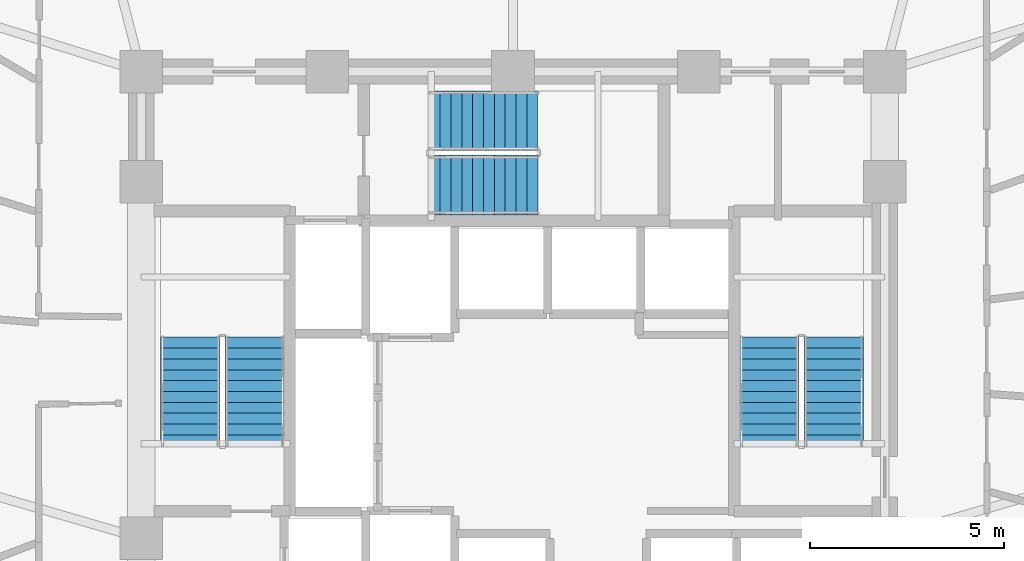
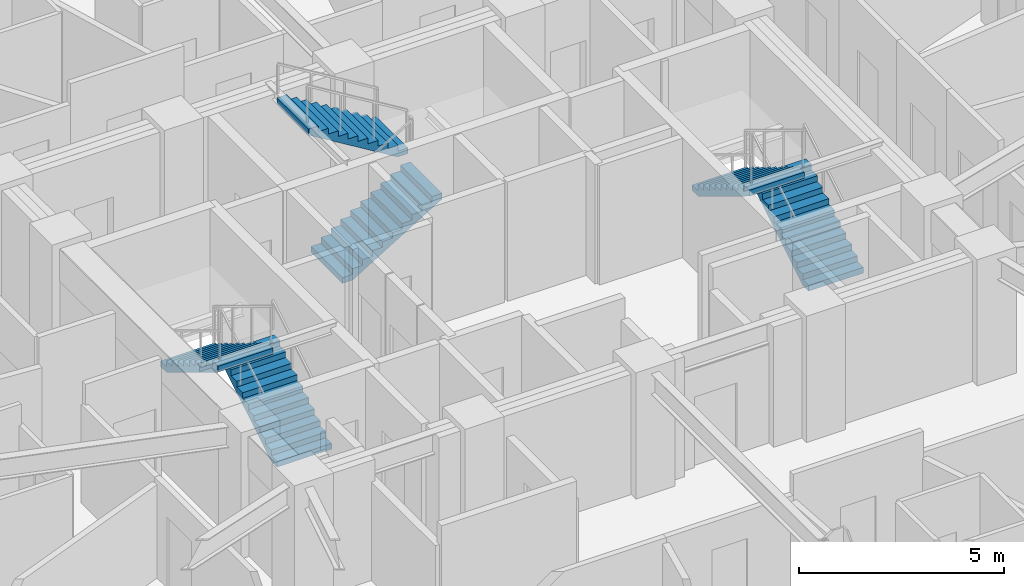
# One storey, part 27 of 31: 6 stair flights, 3 elements without a shape of their own.
"""IFC4 building model written with IfcOpenShell, lengths in metres."""

from ifc_helpers import new_model, si_unit, direction, frame, origin, place, context, subcontext, project, spatial, polyline, outline, extrude, material, type_object, element, aggregate, save


model = new_model("IFC4")

# Units and contexts
model_context = context("Model", 3, precision=1e-05, world=origin(), true_north=direction((0.0, 1.0)))
body_context = subcontext(model_context, "Body", "Model", "MODEL_VIEW")
ifc_project = project(units=[si_unit("LENGTHUNIT", "METRE"), si_unit("AREAUNIT", "SQUARE_METRE"), si_unit("VOLUMEUNIT", "CUBIC_METRE"), si_unit("PLANEANGLEUNIT", "RADIAN"), si_unit("MASSUNIT", "GRAM", prefix="KILO")], contexts=[model_context])

# Site, building, storey
site_placement = place(None, origin())
site = spatial("IfcSite", under=ifc_project, at=site_placement, CompositionType="ELEMENT")
building_placement = place(site_placement, origin())
building = spatial("IfcBuilding", under=site, at=building_placement, Name="Vantalir Tower", CompositionType="ELEMENT")
storey_placement = place(building_placement, frame((0.0, 0.0, 34.5)))
storey = spatial("IfcBuildingStorey", under=building, at=storey_placement, Name="L07", CompositionType="ELEMENT", Elevation=34.5)

# Stair, stair flights
ifc_material = material(Name="Concrete C40/50", Category="concrete")
stair_type = type_object("IfcStairType", Name="STR-CORE-1450", PredefinedType="HALF_TURN_STAIR", material=ifc_material)
stair_1_placement = place(storey_placement, origin())
stair_1 = element("IfcStair", 1, at=stair_1_placement, inside=storey, type_object=stair_type, Name="L07 Core Exit Stair 1", PredefinedType="HALF_TURN_STAIR")
stair_flight_type = type_object("IfcStairFlightType", Name="FLT-CORE-1450", PredefinedType="STRAIGHT", material=ifc_material)
stair_flight_1_placement = place(storey_placement, frame((24.830078125, 22.7900390625, 0.0), z_axis=(0.0, 0.0, 1.0), x_axis=(0.0, 1.0, 0.0)))
stair_flight_1 = element("IfcStairFlight", 2, at=stair_flight_1_placement, type_object=stair_flight_type, Name="ST1 flight 1", NumberOfRisers=11, NumberOfTreads=10, PredefinedType="STRAIGHT", RiserHeight=0.170454545, TreadLength=0.28, context=body_context, shape_type="SweptSolid", body=[
    extrude(outline(polyline([(0.0, 0.0), (0.0, 0.17041015625), (0.280029296875, 0.17041015625), (0.280029296875, 0.3408203125), (0.56005859375, 0.3408203125), (0.56005859375, 0.511474609375), (0.840087890625, 0.511474609375), (0.840087890625, 0.681884765625), (1.1201171875, 0.681884765625), (1.1201171875, 0.852294921875), (1.39990234375, 0.852294921875), (1.39990234375, 1.022705078125), (1.679931640625, 1.022705078125), (1.679931640625, 1.193115234375), (1.9599609375, 1.193115234375), (1.9599609375, 1.363525390625), (2.239990234375, 1.363525390625), (2.239990234375, 1.5341796875), (2.52001953125, 1.5341796875), (2.52001953125, 1.70458984375), (2.800048828125, 1.70458984375), (2.800048828125, 1.875), (2.800048828125, 1.529052734375), (0.288330078125, 0.0), (0.0, 0.0)])), frame((0.0, 0.77001953125, 0.0), z_axis=(0.0, -1.0, 0.0), x_axis=(1.0, 0.0, 0.0)), (0.0, 0.0, 1.0), 1.5400390625),
])
stair_flight_2_placement = place(storey_placement, frame((23.169921875, 25.590087890625, 1.875), z_axis=(0.0, 0.0, 1.0), x_axis=(0.0, -1.0, 0.0)))
stair_flight_2 = element("IfcStairFlight", 3, at=stair_flight_2_placement, type_object=stair_flight_type, Name="ST1 flight 2", NumberOfRisers=11, NumberOfTreads=10, PredefinedType="STRAIGHT", RiserHeight=0.170454545, TreadLength=0.28, context=body_context, shape_type="SweptSolid", body=[
    extrude(outline(polyline([(0.0, 0.0), (0.0, 0.17041015625), (0.280029296875, 0.17041015625), (0.280029296875, 0.3408203125), (0.56005859375, 0.3408203125), (0.56005859375, 0.511474609375), (0.840087890625, 0.511474609375), (0.840087890625, 0.681884765625), (1.1201171875, 0.681884765625), (1.1201171875, 0.852294921875), (1.39990234375, 0.852294921875), (1.39990234375, 1.022705078125), (1.679931640625, 1.022705078125), (1.679931640625, 1.193115234375), (1.9599609375, 1.193115234375), (1.9599609375, 1.363525390625), (2.239990234375, 1.363525390625), (2.239990234375, 1.5341796875), (2.52001953125, 1.5341796875), (2.52001953125, 1.70458984375), (2.800048828125, 1.70458984375), (2.800048828125, 1.875), (2.800048828125, 1.529052734375), (0.288330078125, 0.0), (0.0, 0.0)])), frame((0.0, 0.77001953125, 0.0), z_axis=(0.0, -1.0, 0.0), x_axis=(1.0, 0.0, 0.0)), (0.0, 0.0, 1.0), 1.5400390625),
])
aggregate(stair_1, [stair_flight_1, stair_flight_2])

stair_2_placement = place(storey_placement, origin())
stair_2 = element("IfcStair", 4, at=stair_2_placement, inside=storey, type_object=stair_type, Name="L07 Core Exit Stair 2", PredefinedType="HALF_TURN_STAIR")
stair_flight_3_placement = place(storey_placement, frame((39.780029296875, 22.7900390625, 0.0), z_axis=(0.0, 0.0, 1.0), x_axis=(0.0, 1.0, 0.0)))
stair_flight_3 = element("IfcStairFlight", 5, at=stair_flight_3_placement, type_object=stair_flight_type, Name="ST2 flight 1", NumberOfRisers=11, NumberOfTreads=10, PredefinedType="STRAIGHT", RiserHeight=0.170454545, TreadLength=0.28, context=body_context, shape_type="SweptSolid", body=[
    extrude(outline(polyline([(0.0, 0.0), (0.0, 0.17041015625), (0.280029296875, 0.17041015625), (0.280029296875, 0.3408203125), (0.56005859375, 0.3408203125), (0.56005859375, 0.511474609375), (0.840087890625, 0.511474609375), (0.840087890625, 0.681884765625), (1.1201171875, 0.681884765625), (1.1201171875, 0.852294921875), (1.39990234375, 0.852294921875), (1.39990234375, 1.022705078125), (1.679931640625, 1.022705078125), (1.679931640625, 1.193115234375), (1.9599609375, 1.193115234375), (1.9599609375, 1.363525390625), (2.239990234375, 1.363525390625), (2.239990234375, 1.5341796875), (2.52001953125, 1.5341796875), (2.52001953125, 1.70458984375), (2.800048828125, 1.70458984375), (2.800048828125, 1.875), (2.800048828125, 1.529052734375), (0.288330078125, 0.0), (0.0, 0.0)])), frame((0.0, 0.77001953125, 0.0), z_axis=(0.0, -1.0, 0.0), x_axis=(1.0, 0.0, 0.0)), (0.0, 0.0, 1.0), 1.5400390625),
])
stair_flight_4_placement = place(storey_placement, frame((38.1201171875, 25.590087890625, 1.875), z_axis=(0.0, 0.0, 1.0), x_axis=(0.0, -1.0, 0.0)))
stair_flight_4 = element("IfcStairFlight", 6, at=stair_flight_4_placement, type_object=stair_flight_type, Name="ST2 flight 2", NumberOfRisers=11, NumberOfTreads=10, PredefinedType="STRAIGHT", RiserHeight=0.170454545, TreadLength=0.28, context=body_context, shape_type="SweptSolid", body=[
    extrude(outline(polyline([(0.0, 0.0), (0.0, 0.17041015625), (0.280029296875, 0.17041015625), (0.280029296875, 0.3408203125), (0.56005859375, 0.3408203125), (0.56005859375, 0.511474609375), (0.840087890625, 0.511474609375), (0.840087890625, 0.681884765625), (1.1201171875, 0.681884765625), (1.1201171875, 0.852294921875), (1.39990234375, 0.852294921875), (1.39990234375, 1.022705078125), (1.679931640625, 1.022705078125), (1.679931640625, 1.193115234375), (1.9599609375, 1.193115234375), (1.9599609375, 1.363525390625), (2.239990234375, 1.363525390625), (2.239990234375, 1.5341796875), (2.52001953125, 1.5341796875), (2.52001953125, 1.70458984375), (2.800048828125, 1.70458984375), (2.800048828125, 1.875), (2.800048828125, 1.529052734375), (0.288330078125, 0.0), (0.0, 0.0)])), frame((0.0, 0.77001953125, 0.0), z_axis=(0.0, -1.0, 0.0), x_axis=(1.0, 0.0, 0.0)), (0.0, 0.0, 1.0), 1.5400390625),
])
aggregate(stair_2, [stair_flight_3, stair_flight_4])

stair_3_placement = place(storey_placement, origin())
stair_3 = element("IfcStair", 7, at=stair_3_placement, inside=storey, type_object=stair_type, Name="L07 Core Exit Stair 3", PredefinedType="HALF_TURN_STAIR")
stair_flight_5_placement = place(storey_placement, frame((29.340087890625, 29.52001953125, 0.0), z_axis=(0.0, 0.0, 1.0), x_axis=(1.0, 0.0, 0.0)))
stair_flight_5 = element("IfcStairFlight", 8, at=stair_flight_5_placement, type_object=stair_flight_type, Name="ST3 flight 1", NumberOfRisers=11, NumberOfTreads=10, PredefinedType="STRAIGHT", RiserHeight=0.170454545, TreadLength=0.28, context=body_context, shape_type="SweptSolid", body=[
    extrude(outline(polyline([(0.0, 0.0), (0.0, 0.17041015625), (0.280029296875, 0.17041015625), (0.280029296875, 0.3408203125), (0.56005859375, 0.3408203125), (0.56005859375, 0.511474609375), (0.840087890625, 0.511474609375), (0.840087890625, 0.681884765625), (1.1201171875, 0.681884765625), (1.1201171875, 0.852294921875), (1.39990234375, 0.852294921875), (1.39990234375, 1.022705078125), (1.679931640625, 1.022705078125), (1.679931640625, 1.193115234375), (1.9599609375, 1.193115234375), (1.9599609375, 1.363525390625), (2.239990234375, 1.363525390625), (2.239990234375, 1.5341796875), (2.52001953125, 1.5341796875), (2.52001953125, 1.70458984375), (2.800048828125, 1.70458984375), (2.800048828125, 1.875), (2.800048828125, 1.529052734375), (0.288330078125, 0.0), (0.0, 0.0)])), frame((0.0, 0.77001953125, 0.0), z_axis=(0.0, -1.0, 0.0), x_axis=(1.0, 0.0, 0.0)), (0.0, 0.0, 1.0), 1.5400390625),
])
stair_flight_6_placement = place(storey_placement, frame((32.139892578125, 31.179931640625, 1.875), z_axis=(0.0, 0.0, 1.0), x_axis=(-1.0, 0.0, 0.0)))
stair_flight_6 = element("IfcStairFlight", 9, at=stair_flight_6_placement, type_object=stair_flight_type, Name="ST3 flight 2", NumberOfRisers=11, NumberOfTreads=10, PredefinedType="STRAIGHT", RiserHeight=0.170454545, TreadLength=0.28, context=body_context, shape_type="SweptSolid", body=[
    extrude(outline(polyline([(0.0, 0.0), (0.0, 0.17041015625), (0.280029296875, 0.17041015625), (0.280029296875, 0.3408203125), (0.56005859375, 0.3408203125), (0.56005859375, 0.511474609375), (0.840087890625, 0.511474609375), (0.840087890625, 0.681884765625), (1.1201171875, 0.681884765625), (1.1201171875, 0.852294921875), (1.39990234375, 0.852294921875), (1.39990234375, 1.022705078125), (1.679931640625, 1.022705078125), (1.679931640625, 1.193115234375), (1.9599609375, 1.193115234375), (1.9599609375, 1.363525390625), (2.239990234375, 1.363525390625), (2.239990234375, 1.5341796875), (2.52001953125, 1.5341796875), (2.52001953125, 1.70458984375), (2.800048828125, 1.70458984375), (2.800048828125, 1.875), (2.800048828125, 1.529052734375), (0.288330078125, 0.0), (0.0, 0.0)])), frame((0.0, 0.77001953125, 0.0), z_axis=(0.0, -1.0, 0.0), x_axis=(1.0, 0.0, 0.0)), (0.0, 0.0, 1.0), 1.5400390625),
])
aggregate(stair_3, [stair_flight_5, stair_flight_6])

save(model, "model.ifc")
